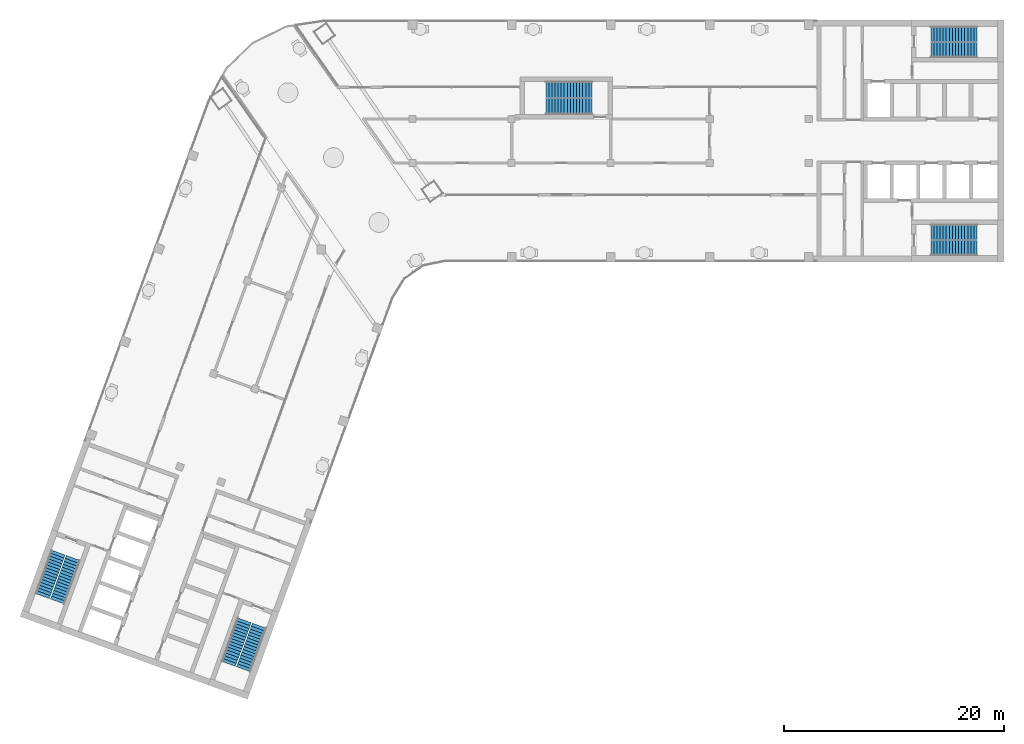
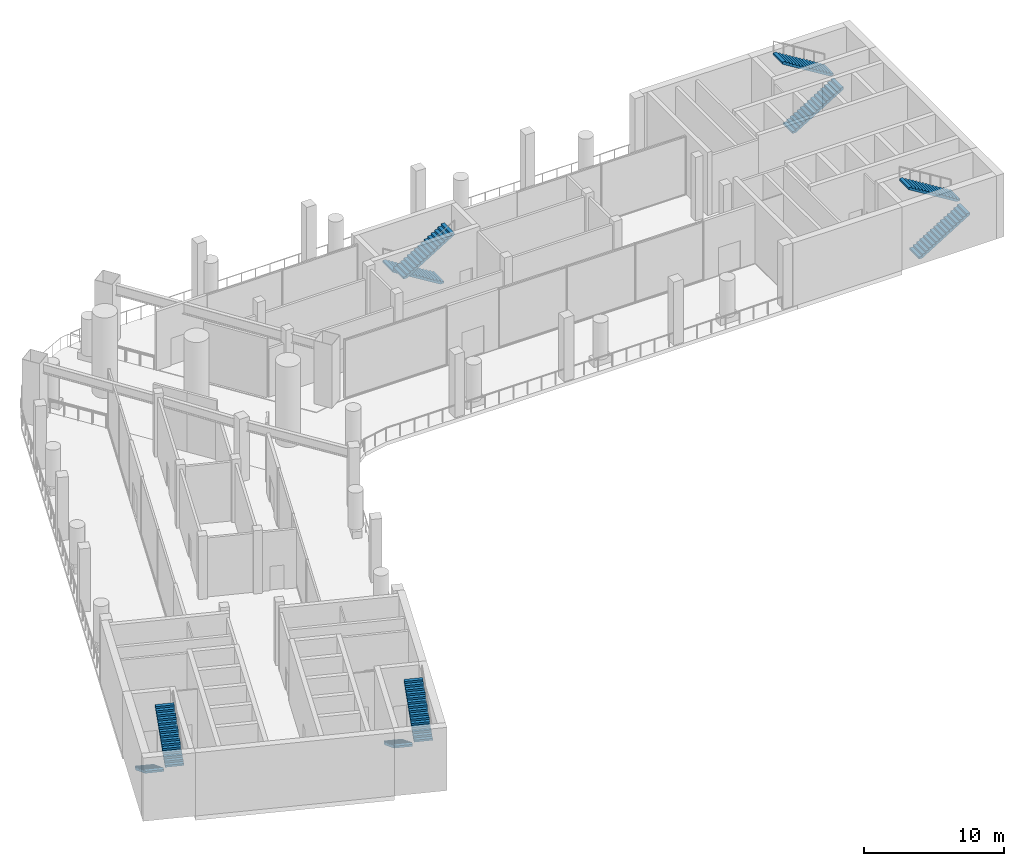
# One storey, part 12 of 17: 10 stair flights, 5 elements without a shape of their own.
"""IFC4 building model written with IfcOpenShell, lengths in metres."""

from ifc_helpers import new_model, si_unit, direction, frame, origin, place, context, subcontext, project, spatial, polyline, outline, extrude, material, type_object, element, aggregate, save


model = new_model("IFC4")

# Units and contexts
model_context = context("Model", 3, precision=1e-05, world=origin(), true_north=direction((0.0, 1.0)))
body_context = subcontext(model_context, "Body", "Model", "MODEL_VIEW")
ifc_project = project(units=[si_unit("LENGTHUNIT", "METRE"), si_unit("AREAUNIT", "SQUARE_METRE"), si_unit("VOLUMEUNIT", "CUBIC_METRE"), si_unit("PLANEANGLEUNIT", "RADIAN"), si_unit("MASSUNIT", "GRAM", prefix="KILO")], contexts=[model_context])

# Site, building, storey
site_placement = place(None, origin())
site = spatial("IfcSite", under=ifc_project, at=site_placement, CompositionType="ELEMENT")
building_placement = place(site_placement, origin())
building = spatial("IfcBuilding", under=site, at=building_placement, Name="Skarvind Civic Tower", CompositionType="ELEMENT")
storey_placement = place(building_placement, frame((0.0, 0.0, 182.5)))
storey = spatial("IfcBuildingStorey", under=building, at=storey_placement, Name="L43", CompositionType="ELEMENT", Elevation=182.5)

# Stair, stair flights
ifc_material = material(Name="Concrete C40/50", Category="concrete")
stair_type_1 = type_object("IfcStairType", Name="Exit stair 1450, half-turn, concrete", PredefinedType="HALF_TURN_STAIR", material=ifc_material)
stair_1_placement = place(storey_placement, origin())
stair_1 = element("IfcStair", 1, at=stair_1_placement, inside=storey, type_object=stair_type_1, Name="Exit stair CM", PredefinedType="HALF_TURN_STAIR")
stair_flight_type_1 = type_object("IfcStairFlightType", Name="Stair flight 1450, concrete", PredefinedType="STRAIGHT", material=ifc_material)
stair_flight_1_placement = place(storey_placement, frame((70.550048828125, 132.675048828125, 0.0), z_axis=(0.0, 0.0, 1.0), x_axis=(-1.0, 0.0, 0.0)))
stair_flight_1 = element("IfcStairFlight", 2, at=stair_flight_1_placement, type_object=stair_flight_type_1, Name="ST-CM flight 1", NumberOfRisers=16, NumberOfTreads=15, PredefinedType="STRAIGHT", RiserHeight=0.171875, TreadLength=0.28, context=body_context, shape_type="SweptSolid", body=[
    extrude(outline(polyline([(0.0, 0.0), (0.0, 0.171875), (0.280029296875, 0.171875), (0.280029296875, 0.34375), (0.56005859375, 0.34375), (0.56005859375, 0.515625), (0.840087890625, 0.515625), (0.840087890625, 0.6875), (1.1201171875, 0.6875), (1.1201171875, 0.859375), (1.39990234375, 0.859375), (1.39990234375, 1.03125), (1.679931640625, 1.03125), (1.679931640625, 1.203125), (1.9599609375, 1.203125), (1.9599609375, 1.375), (2.239990234375, 1.375), (2.239990234375, 1.546875), (2.52001953125, 1.546875), (2.52001953125, 1.71875), (2.800048828125, 1.71875), (2.800048828125, 1.890625), (3.080078125, 1.890625), (3.080078125, 2.0625), (3.360107421875, 2.0625), (3.360107421875, 2.234375), (3.639892578125, 2.234375), (3.639892578125, 2.40625), (3.919921875, 2.40625), (3.919921875, 2.578125), (4.199951171875, 2.578125), (4.199951171875, 2.75), (4.199951171875, 2.40234375), (0.28662109375, 0.0), (0.0, 0.0)])), frame((0.0, 0.72509765625, 0.0), z_axis=(0.0, -1.0, 0.0), x_axis=(1.0, 0.0, 0.0)), (0.0, 0.0, 1.0), 1.449951171875),
])
stair_flight_2_placement = place(storey_placement, frame((66.35009765625, 131.125, 2.75), z_axis=(0.0, 0.0, 1.0), x_axis=(1.0, 0.0, 0.0)))
stair_flight_2 = element("IfcStairFlight", 3, at=stair_flight_2_placement, type_object=stair_flight_type_1, Name="ST-CM flight 2", NumberOfRisers=16, NumberOfTreads=15, PredefinedType="STRAIGHT", RiserHeight=0.171875, TreadLength=0.28, context=body_context, shape_type="SweptSolid", body=[
    extrude(outline(polyline([(0.0, 0.0), (0.0, 0.171875), (0.280029296875, 0.171875), (0.280029296875, 0.34375), (0.56005859375, 0.34375), (0.56005859375, 0.515625), (0.840087890625, 0.515625), (0.840087890625, 0.6875), (1.1201171875, 0.6875), (1.1201171875, 0.859375), (1.39990234375, 0.859375), (1.39990234375, 1.03125), (1.679931640625, 1.03125), (1.679931640625, 1.203125), (1.9599609375, 1.203125), (1.9599609375, 1.375), (2.239990234375, 1.375), (2.239990234375, 1.546875), (2.52001953125, 1.546875), (2.52001953125, 1.71875), (2.800048828125, 1.71875), (2.800048828125, 1.890625), (3.080078125, 1.890625), (3.080078125, 2.0625), (3.360107421875, 2.0625), (3.360107421875, 2.234375), (3.639892578125, 2.234375), (3.639892578125, 2.40625), (3.919921875, 2.40625), (3.919921875, 2.578125), (4.199951171875, 2.578125), (4.199951171875, 2.75), (4.199951171875, 2.40234375), (0.28662109375, 0.0), (0.0, 0.0)])), frame((0.0, 0.72509765625, 0.0), z_axis=(0.0, -1.0, 0.0), x_axis=(1.0, 0.0, 0.0)), (0.0, 0.0, 1.0), 1.449951171875),
])
aggregate(stair_1, [stair_flight_1, stair_flight_2])

stair_type_2 = type_object("IfcStairType", Name="Exit stair, half-turn, concrete", PredefinedType="HALF_TURN_STAIR", material=ifc_material)
stair_2_placement = place(storey_placement, origin())
stair_2 = element("IfcStair", 4, at=stair_2_placement, inside=storey, type_object=stair_type_2, Name="Exit stair C1S", PredefinedType="HALF_TURN_STAIR")
stair_flight_type_2 = type_object("IfcStairFlightType", Name="Stair flight, concrete", PredefinedType="STRAIGHT", material=ifc_material)
stair_flight_3_placement = place(storey_placement, frame((101.35009765625, 136.27490234375, 0.0), z_axis=(0.0, 0.0, 1.0), x_axis=(1.0, 0.0, 0.0)))
stair_flight_3 = element("IfcStairFlight", 5, at=stair_flight_3_placement, type_object=stair_flight_type_2, Name="ST-C1S flight 1", NumberOfRisers=16, NumberOfTreads=15, PredefinedType="STRAIGHT", RiserHeight=0.171875, TreadLength=0.28, context=body_context, shape_type="SweptSolid", body=[
    extrude(outline(polyline([(0.0, 0.0), (0.0, 0.171875), (0.280029296875, 0.171875), (0.280029296875, 0.34375), (0.56005859375, 0.34375), (0.56005859375, 0.515625), (0.840087890625, 0.515625), (0.840087890625, 0.6875), (1.1201171875, 0.6875), (1.1201171875, 0.859375), (1.39990234375, 0.859375), (1.39990234375, 1.03125), (1.679931640625, 1.03125), (1.679931640625, 1.203125), (1.9599609375, 1.203125), (1.9599609375, 1.375), (2.239990234375, 1.375), (2.239990234375, 1.546875), (2.52001953125, 1.546875), (2.52001953125, 1.71875), (2.800048828125, 1.71875), (2.800048828125, 1.890625), (3.080078125, 1.890625), (3.080078125, 2.0625), (3.360107421875, 2.0625), (3.360107421875, 2.234375), (3.639892578125, 2.234375), (3.639892578125, 2.40625), (3.919921875, 2.40625), (3.919921875, 2.578125), (4.199951171875, 2.578125), (4.199951171875, 2.75), (4.199951171875, 2.40234375), (0.28662109375, 0.0), (0.0, 0.0)])), frame((0.0, 0.675048828125, 0.0), z_axis=(0.0, -1.0, 0.0), x_axis=(1.0, 0.0, 0.0)), (0.0, 0.0, 1.0), 1.35009765625),
])
stair_flight_4_placement = place(storey_placement, frame((105.550048828125, 137.72509765625, 2.75), z_axis=(0.0, 0.0, 1.0), x_axis=(-1.0, 0.0, 0.0)))
stair_flight_4 = element("IfcStairFlight", 6, at=stair_flight_4_placement, type_object=stair_flight_type_2, Name="ST-C1S flight 2", NumberOfRisers=16, NumberOfTreads=15, PredefinedType="STRAIGHT", RiserHeight=0.171875, TreadLength=0.28, context=body_context, shape_type="SweptSolid", body=[
    extrude(outline(polyline([(0.0, 0.0), (0.0, 0.171875), (0.280029296875, 0.171875), (0.280029296875, 0.34375), (0.56005859375, 0.34375), (0.56005859375, 0.515625), (0.840087890625, 0.515625), (0.840087890625, 0.6875), (1.1201171875, 0.6875), (1.1201171875, 0.859375), (1.39990234375, 0.859375), (1.39990234375, 1.03125), (1.679931640625, 1.03125), (1.679931640625, 1.203125), (1.9599609375, 1.203125), (1.9599609375, 1.375), (2.239990234375, 1.375), (2.239990234375, 1.546875), (2.52001953125, 1.546875), (2.52001953125, 1.71875), (2.800048828125, 1.71875), (2.800048828125, 1.890625), (3.080078125, 1.890625), (3.080078125, 2.0625), (3.360107421875, 2.0625), (3.360107421875, 2.234375), (3.639892578125, 2.234375), (3.639892578125, 2.40625), (3.919921875, 2.40625), (3.919921875, 2.578125), (4.199951171875, 2.578125), (4.199951171875, 2.75), (4.199951171875, 2.40234375), (0.28662109375, 0.0), (0.0, 0.0)])), frame((0.0, 0.675048828125, 0.0), z_axis=(0.0, -1.0, 0.0), x_axis=(1.0, 0.0, 0.0)), (0.0, 0.0, 1.0), 1.35009765625),
])
aggregate(stair_2, [stair_flight_3, stair_flight_4])

stair_3_placement = place(storey_placement, origin())
stair_3 = element("IfcStair", 7, at=stair_3_placement, inside=storey, type_object=stair_type_2, Name="Exit stair C1N", PredefinedType="HALF_TURN_STAIR")
stair_flight_5_placement = place(storey_placement, frame((101.35009765625, 118.27490234375, 0.0), z_axis=(0.0, 0.0, 1.0), x_axis=(1.0, 0.0, 0.0)))
stair_flight_5 = element("IfcStairFlight", 8, at=stair_flight_5_placement, type_object=stair_flight_type_2, Name="ST-C1N flight 1", NumberOfRisers=16, NumberOfTreads=15, PredefinedType="STRAIGHT", RiserHeight=0.171875, TreadLength=0.28, context=body_context, shape_type="SweptSolid", body=[
    extrude(outline(polyline([(0.0, 0.0), (0.0, 0.171875), (0.280029296875, 0.171875), (0.280029296875, 0.34375), (0.56005859375, 0.34375), (0.56005859375, 0.515625), (0.840087890625, 0.515625), (0.840087890625, 0.6875), (1.1201171875, 0.6875), (1.1201171875, 0.859375), (1.39990234375, 0.859375), (1.39990234375, 1.03125), (1.679931640625, 1.03125), (1.679931640625, 1.203125), (1.9599609375, 1.203125), (1.9599609375, 1.375), (2.239990234375, 1.375), (2.239990234375, 1.546875), (2.52001953125, 1.546875), (2.52001953125, 1.71875), (2.800048828125, 1.71875), (2.800048828125, 1.890625), (3.080078125, 1.890625), (3.080078125, 2.0625), (3.360107421875, 2.0625), (3.360107421875, 2.234375), (3.639892578125, 2.234375), (3.639892578125, 2.40625), (3.919921875, 2.40625), (3.919921875, 2.578125), (4.199951171875, 2.578125), (4.199951171875, 2.75), (4.199951171875, 2.40234375), (0.28662109375, 0.0), (0.0, 0.0)])), frame((0.0, 0.675048828125, 0.0), z_axis=(0.0, -1.0, 0.0), x_axis=(1.0, 0.0, 0.0)), (0.0, 0.0, 1.0), 1.35009765625),
])
stair_flight_6_placement = place(storey_placement, frame((105.550048828125, 119.72509765625, 2.75), z_axis=(0.0, 0.0, 1.0), x_axis=(-1.0, 0.0, 0.0)))
stair_flight_6 = element("IfcStairFlight", 9, at=stair_flight_6_placement, type_object=stair_flight_type_2, Name="ST-C1N flight 2", NumberOfRisers=16, NumberOfTreads=15, PredefinedType="STRAIGHT", RiserHeight=0.171875, TreadLength=0.28, context=body_context, shape_type="SweptSolid", body=[
    extrude(outline(polyline([(0.0, 0.0), (0.0, 0.171875), (0.280029296875, 0.171875), (0.280029296875, 0.34375), (0.56005859375, 0.34375), (0.56005859375, 0.515625), (0.840087890625, 0.515625), (0.840087890625, 0.6875), (1.1201171875, 0.6875), (1.1201171875, 0.859375), (1.39990234375, 0.859375), (1.39990234375, 1.03125), (1.679931640625, 1.03125), (1.679931640625, 1.203125), (1.9599609375, 1.203125), (1.9599609375, 1.375), (2.239990234375, 1.375), (2.239990234375, 1.546875), (2.52001953125, 1.546875), (2.52001953125, 1.71875), (2.800048828125, 1.71875), (2.800048828125, 1.890625), (3.080078125, 1.890625), (3.080078125, 2.0625), (3.360107421875, 2.0625), (3.360107421875, 2.234375), (3.639892578125, 2.234375), (3.639892578125, 2.40625), (3.919921875, 2.40625), (3.919921875, 2.578125), (4.199951171875, 2.578125), (4.199951171875, 2.75), (4.199951171875, 2.40234375), (0.28662109375, 0.0), (0.0, 0.0)])), frame((0.0, 0.675048828125, 0.0), z_axis=(0.0, -1.0, 0.0), x_axis=(1.0, 0.0, 0.0)), (0.0, 0.0, 1.0), 1.35009765625),
])
aggregate(stair_3, [stair_flight_5, stair_flight_6])

stair_4_placement = place(storey_placement, origin())
stair_4 = element("IfcStair", 10, at=stair_4_placement, inside=storey, type_object=stair_type_2, Name="Exit stair C2S", PredefinedType="HALF_TURN_STAIR")
stair_flight_7_placement = place(storey_placement, frame((38.949462890625, 84.43408203125, 0.0), z_axis=(0.0, 0.0, 1.0), x_axis=(-0.342020143326, -0.939692620786, 0.0)))
stair_flight_7 = element("IfcStairFlight", 11, at=stair_flight_7_placement, type_object=stair_flight_type_2, Name="ST-C2S flight 1", NumberOfRisers=16, NumberOfTreads=15, PredefinedType="STRAIGHT", RiserHeight=0.171875, TreadLength=0.28, context=body_context, shape_type="SweptSolid", body=[
    extrude(outline(polyline([(0.0, 0.0), (0.0, 0.171875), (0.280029296875, 0.171875), (0.280029296875, 0.34375), (0.56005859375, 0.34375), (0.56005859375, 0.515625), (0.840087890625, 0.515625), (0.840087890625, 0.6875), (1.1201171875, 0.6875), (1.1201171875, 0.859375), (1.39990234375, 0.859375), (1.39990234375, 1.03125), (1.679931640625, 1.03125), (1.679931640625, 1.203125), (1.9599609375, 1.203125), (1.9599609375, 1.375), (2.239990234375, 1.375), (2.239990234375, 1.546875), (2.52001953125, 1.546875), (2.52001953125, 1.71875), (2.800048828125, 1.71875), (2.800048828125, 1.890625), (3.080078125, 1.890625), (3.080078125, 2.0625), (3.360107421875, 2.0625), (3.360107421875, 2.234375), (3.639892578125, 2.234375), (3.639892578125, 2.40625), (3.919921875, 2.40625), (3.919921875, 2.578125), (4.199951171875, 2.578125), (4.199951171875, 2.75), (4.199951171875, 2.40234375), (0.28662109375, 0.0), (0.0, 0.0)])), frame((0.0, 0.675048828125, 0.0), z_axis=(0.0, -1.0, 0.0), x_axis=(1.0, 0.0, 0.0)), (0.0, 0.0, 1.0), 1.35009765625),
])
stair_flight_8_placement = place(storey_placement, frame((38.87548828125, 79.991455078125, 2.75), z_axis=(0.0, 0.0, 1.0), x_axis=(0.342020143326, 0.939692620786, 0.0)))
stair_flight_8 = element("IfcStairFlight", 12, at=stair_flight_8_placement, type_object=stair_flight_type_2, Name="ST-C2S flight 2", NumberOfRisers=16, NumberOfTreads=15, PredefinedType="STRAIGHT", RiserHeight=0.171875, TreadLength=0.28, context=body_context, shape_type="SweptSolid", body=[
    extrude(outline(polyline([(0.0, 0.0), (0.0, 0.171875), (0.280029296875, 0.171875), (0.280029296875, 0.34375), (0.56005859375, 0.34375), (0.56005859375, 0.515625), (0.840087890625, 0.515625), (0.840087890625, 0.6875), (1.1201171875, 0.6875), (1.1201171875, 0.859375), (1.39990234375, 0.859375), (1.39990234375, 1.03125), (1.679931640625, 1.03125), (1.679931640625, 1.203125), (1.9599609375, 1.203125), (1.9599609375, 1.375), (2.239990234375, 1.375), (2.239990234375, 1.546875), (2.52001953125, 1.546875), (2.52001953125, 1.71875), (2.800048828125, 1.71875), (2.800048828125, 1.890625), (3.080078125, 1.890625), (3.080078125, 2.0625), (3.360107421875, 2.0625), (3.360107421875, 2.234375), (3.639892578125, 2.234375), (3.639892578125, 2.40625), (3.919921875, 2.40625), (3.919921875, 2.578125), (4.199951171875, 2.578125), (4.199951171875, 2.75), (4.199951171875, 2.40234375), (0.28662109375, 0.0), (0.0, 0.0)])), frame((0.0, 0.675048828125, 0.0), z_axis=(0.0, -1.0, 0.0), x_axis=(1.0, 0.0, 0.0)), (0.0, 0.0, 1.0), 1.35009765625),
])
aggregate(stair_4, [stair_flight_7, stair_flight_8])

stair_5_placement = place(storey_placement, origin())
stair_5 = element("IfcStair", 13, at=stair_5_placement, inside=storey, type_object=stair_type_2, Name="Exit stair C2N", PredefinedType="HALF_TURN_STAIR")
stair_flight_9_placement = place(storey_placement, frame((22.034912109375, 90.590576171875, 0.0), z_axis=(0.0, 0.0, 1.0), x_axis=(-0.342020143326, -0.939692620786, 0.0)))
stair_flight_9 = element("IfcStairFlight", 14, at=stair_flight_9_placement, type_object=stair_flight_type_2, Name="ST-C2N flight 1", NumberOfRisers=16, NumberOfTreads=15, PredefinedType="STRAIGHT", RiserHeight=0.171875, TreadLength=0.28, context=body_context, shape_type="SweptSolid", body=[
    extrude(outline(polyline([(0.0, 0.0), (0.0, 0.171875), (0.280029296875, 0.171875), (0.280029296875, 0.34375), (0.56005859375, 0.34375), (0.56005859375, 0.515625), (0.840087890625, 0.515625), (0.840087890625, 0.6875), (1.1201171875, 0.6875), (1.1201171875, 0.859375), (1.39990234375, 0.859375), (1.39990234375, 1.03125), (1.679931640625, 1.03125), (1.679931640625, 1.203125), (1.9599609375, 1.203125), (1.9599609375, 1.375), (2.239990234375, 1.375), (2.239990234375, 1.546875), (2.52001953125, 1.546875), (2.52001953125, 1.71875), (2.800048828125, 1.71875), (2.800048828125, 1.890625), (3.080078125, 1.890625), (3.080078125, 2.0625), (3.360107421875, 2.0625), (3.360107421875, 2.234375), (3.639892578125, 2.234375), (3.639892578125, 2.40625), (3.919921875, 2.40625), (3.919921875, 2.578125), (4.199951171875, 2.578125), (4.199951171875, 2.75), (4.199951171875, 2.40234375), (0.28662109375, 0.0), (0.0, 0.0)])), frame((0.0, 0.675048828125, 0.0), z_axis=(0.0, -1.0, 0.0), x_axis=(1.0, 0.0, 0.0)), (0.0, 0.0, 1.0), 1.35009765625),
])
stair_flight_10_placement = place(storey_placement, frame((21.9609375, 86.14794921875, 2.75), z_axis=(0.0, 0.0, 1.0), x_axis=(0.342020143326, 0.939692620786, 0.0)))
stair_flight_10 = element("IfcStairFlight", 15, at=stair_flight_10_placement, type_object=stair_flight_type_2, Name="ST-C2N flight 2", NumberOfRisers=16, NumberOfTreads=15, PredefinedType="STRAIGHT", RiserHeight=0.171875, TreadLength=0.28, context=body_context, shape_type="SweptSolid", body=[
    extrude(outline(polyline([(0.0, 0.0), (0.0, 0.171875), (0.280029296875, 0.171875), (0.280029296875, 0.34375), (0.56005859375, 0.34375), (0.56005859375, 0.515625), (0.840087890625, 0.515625), (0.840087890625, 0.6875), (1.1201171875, 0.6875), (1.1201171875, 0.859375), (1.39990234375, 0.859375), (1.39990234375, 1.03125), (1.679931640625, 1.03125), (1.679931640625, 1.203125), (1.9599609375, 1.203125), (1.9599609375, 1.375), (2.239990234375, 1.375), (2.239990234375, 1.546875), (2.52001953125, 1.546875), (2.52001953125, 1.71875), (2.800048828125, 1.71875), (2.800048828125, 1.890625), (3.080078125, 1.890625), (3.080078125, 2.0625), (3.360107421875, 2.0625), (3.360107421875, 2.234375), (3.639892578125, 2.234375), (3.639892578125, 2.40625), (3.919921875, 2.40625), (3.919921875, 2.578125), (4.199951171875, 2.578125), (4.199951171875, 2.75), (4.199951171875, 2.40234375), (0.28662109375, 0.0), (0.0, 0.0)])), frame((0.0, 0.675048828125, 0.0), z_axis=(0.0, -1.0, 0.0), x_axis=(1.0, 0.0, 0.0)), (0.0, 0.0, 1.0), 1.35009765625),
])
aggregate(stair_5, [stair_flight_9, stair_flight_10])

save(model, "model.ifc")
